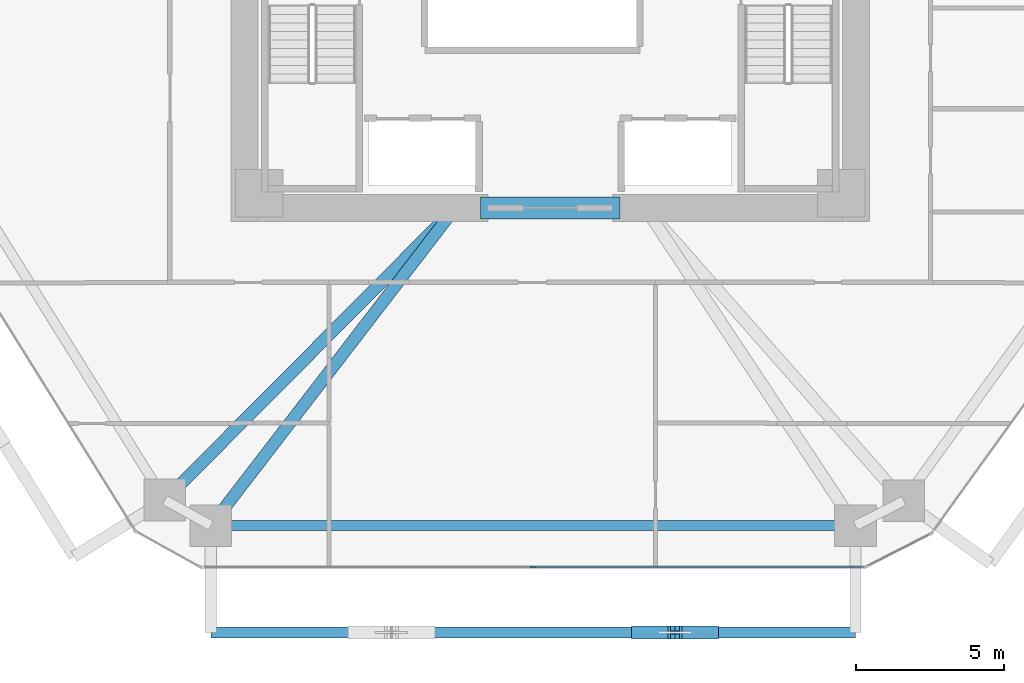
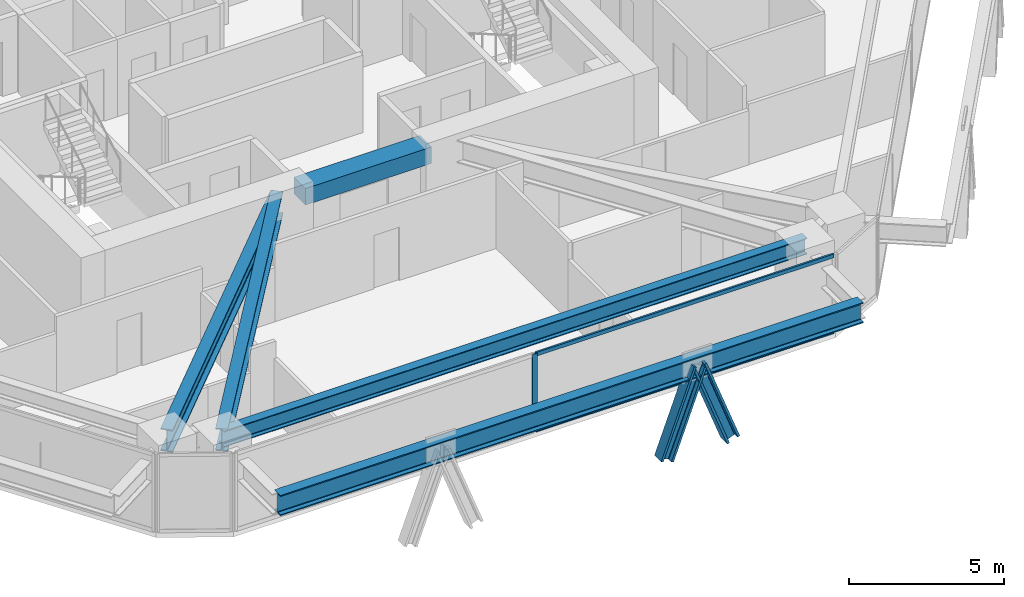
# One storey, part 3 of 17: 5 beams, 5 members, 1 element without a shape of its own.
"""IFC4 building model written with IfcOpenShell, lengths in metres."""

import ifcopenshell
import ifcopenshell.guid

model = None  # the IFC model being written
_history = None  # IfcOwnerHistory: only IFC2X3 demands one
_inside = {}  # id of a spatial element -> (the spatial element, [elements in it])
_under = {}  # id of a project, library or spatial element -> (it, [spatial elements below it])
_declared = {}  # id of a project -> (the project, [libraries it declares])
_typed = {}  # id of a type object -> (the type object, [elements of that type])
_made_of = {}  # id of a material, layer set ... -> (it, [elements and type objects made of it])


def new_model(schema):
    """Start an empty IFC model of exactly this schema.

    Asked for "IFC4X3", IfcOpenShell would pick the latest addendum, in which some entities
    have other attributes; the version numbers below select the first issue.
    IFC2X3 requires an IfcOwnerHistory on every rooted entity: one is made here for all.
    """
    global model, _history
    if schema == "IFC4X3":
        model = ifcopenshell.file(schema_version=(4, 3, 0, 0))
    else:
        model = ifcopenshell.file(schema=schema)
    _inside.clear()
    _under.clear()
    _declared.clear()
    _typed.clear()
    _made_of.clear()
    _history = None
    if model.schema == "IFC2X3":
        org = make("IfcOrganization", Name="unknown")
        user = make(
            "IfcPersonAndOrganization",
            ThePerson=make("IfcPerson", FamilyName="unknown"),
            TheOrganization=org,
        )
        app = make(
            "IfcApplication",
            ApplicationDeveloper=org,
            Version="unknown",
            ApplicationFullName="unknown",
            ApplicationIdentifier="unknown",
        )
        _history = make(
            "IfcOwnerHistory",
            OwningUser=user,
            OwningApplication=app,
            ChangeAction="ADDED",
            CreationDate=0,
        )
    return model


def make(cls, **values):
    """One entity of the class cls with the attributes given. An attribute that is None is left unset."""
    return model.create_entity(
        cls, **{name: value for name, value in values.items() if value is not None}
    )


def rooted(cls, **values):
    """An entity with a GlobalId (a new one), such as an element, a storey or a relation."""
    return make(cls, GlobalId=ifcopenshell.guid.new(), OwnerHistory=_history, **values)


def si_unit(unit_type, name, prefix=None):
    """IfcSIUnit, for example si_unit("LENGTHUNIT", "METRE", prefix="MILLI")."""
    return make("IfcSIUnit", UnitType=unit_type, Prefix=prefix, Name=name)


def assignment(units):
    """IfcUnitAssignment: the units of a project."""
    return None if units is None else make("IfcUnitAssignment", Units=units)


def point(xyz):
    """IfcCartesianPoint."""
    return None if xyz is None else make("IfcCartesianPoint", Coordinates=xyz)


def direction(xyz):
    """IfcDirection."""
    return None if xyz is None else make("IfcDirection", DirectionRatios=xyz)


def frame(location, z_axis=None, x_axis=None):
    """IfcAxis2Placement3D, a coordinate frame: its origin and axes. An axis left out is left unset."""
    return make(
        "IfcAxis2Placement3D",
        Location=point(location),
        Axis=direction(z_axis),
        RefDirection=direction(x_axis),
    )


def frame_2d(location, x_axis=None):
    """IfcAxis2Placement2D, a coordinate frame in the plane: its origin and x axis."""
    return make(
        "IfcAxis2Placement2D", Location=point(location), RefDirection=direction(x_axis)
    )


def origin():
    """The frame at (0, 0, 0) with its axes left unset."""
    return frame((0.0, 0.0, 0.0))


def origin_2d():
    """The frame at (0, 0) in the plane with its x axis left unset."""
    return frame_2d((0.0, 0.0))


def place(relative_to, where):
    """IfcLocalPlacement: puts the frame where relative to a parent placement (None: the world)."""
    return make(
        "IfcLocalPlacement", PlacementRelTo=relative_to, RelativePlacement=where
    )


def context(
    kind, dimensions, precision=None, world=None, true_north=None, identifier=None
):
    """IfcGeometricRepresentationContext, for example the 3D "Model" context."""
    return make(
        "IfcGeometricRepresentationContext",
        ContextIdentifier=identifier,
        ContextType=kind,
        CoordinateSpaceDimension=dimensions,
        Precision=precision,
        WorldCoordinateSystem=world,
        TrueNorth=true_north,
    )


def subcontext(parent, identifier, kind, view, scale=None):
    """IfcGeometricRepresentationSubContext, for example "Body" below "Model"."""
    return make(
        "IfcGeometricRepresentationSubContext",
        ContextIdentifier=identifier,
        ContextType=kind,
        ParentContext=parent,
        TargetScale=scale,
        TargetView=view,
    )


def project(units=None, contexts=None):
    """IfcProject with its units and contexts."""
    return rooted(
        "IfcProject",
        Name="project",
        RepresentationContexts=contexts,
        UnitsInContext=assignment(units),
    )


def spatial(cls, under=None, at=None, **own):
    """A site, building, storey or space (cls), placed at a placement, below another one or the project."""
    s = rooted(cls, ObjectPlacement=at, **own)
    if under is not None:
        _under.setdefault(under.id(), (under, []))[1].append(s)
    return s


def profile(cls, at=None, kind="AREA", **sizes):
    """A parametric profile (cls). Its sizes go by their IFC names, for example OverallWidth=200.0."""
    return make(cls, ProfileType=kind, Position=at, **sizes)


def rectangle(**sizes):
    """IfcRectangleProfileDef."""
    return profile("IfcRectangleProfileDef", **sizes)


def i_section(**sizes):
    """IfcIShapeProfileDef."""
    return profile("IfcIShapeProfileDef", **sizes)


def extrude(swept, where, along, depth):
    """IfcExtrudedAreaSolid: the profile swept, set in the frame where, extruded along a direction by depth."""
    return make(
        "IfcExtrudedAreaSolid",
        SweptArea=swept,
        Position=where,
        ExtrudedDirection=direction(along),
        Depth=depth,
    )


def shape(context_of_items, identifier, shape_type, items):
    """IfcShapeRepresentation: the items that make up one representation, for example the "Body"."""
    return make(
        "IfcShapeRepresentation",
        ContextOfItems=context_of_items,
        RepresentationIdentifier=identifier,
        RepresentationType=shape_type,
        Items=items,
    )


def source(mapping_origin, context_of_items, identifier, shape_type, items):
    """IfcRepresentationMap: a shape defined once, which mapped items show again and again."""
    return make(
        "IfcRepresentationMap",
        MappingOrigin=mapping_origin,
        MappedRepresentation=shape(context_of_items, identifier, shape_type, items),
    )


def transform(
    local_origin,
    x_axis=None,
    y_axis=None,
    z_axis=None,
    scale=None,
    scale2=None,
    scale3=None,
    uniform=True,
):
    """IfcCartesianTransformationOperator3D, or its non-uniform kind. x_axis, y_axis, z_axis: its Axis1, 2, 3."""
    if uniform:
        return make(
            "IfcCartesianTransformationOperator3D",
            Axis1=direction(x_axis),
            Axis2=direction(y_axis),
            LocalOrigin=point(local_origin),
            Scale=scale,
            Axis3=direction(z_axis),
        )
    return make(
        "IfcCartesianTransformationOperator3DnonUniform",
        Axis1=direction(x_axis),
        Axis2=direction(y_axis),
        LocalOrigin=point(local_origin),
        Scale=scale,
        Axis3=direction(z_axis),
        Scale2=scale2,
        Scale3=scale3,
    )


def mapped(mapping_source, mapping_target):
    """IfcMappedItem: shows the shape of a source again, moved by a transform."""
    return make(
        "IfcMappedItem", MappingSource=mapping_source, MappingTarget=mapping_target
    )


def material(Name=None, Category=None):
    """IfcMaterial."""
    return make("IfcMaterial", Name=Name, Category=Category)


def layer(
    of_material, thickness, ventilated=None, Name=None, Category=None, Priority=None
):
    """IfcMaterialLayer: one layer of a wall or slab, of a material (None: an air gap)."""
    return make(
        "IfcMaterialLayer",
        Material=of_material,
        LayerThickness=thickness,
        IsVentilated=ventilated,
        Name=Name,
        Category=Category,
        Priority=Priority,
    )


def layer_set(layers, Name=None):
    """IfcMaterialLayerSet."""
    return make("IfcMaterialLayerSet", MaterialLayers=layers, LayerSetName=Name)


def material_profile(
    of_material, cross_section, Name=None, Category=None, Priority=None
):
    """IfcMaterialProfile: a cross section and its material."""
    return make(
        "IfcMaterialProfile",
        Name=Name,
        Material=of_material,
        Profile=cross_section,
        Priority=Priority,
        Category=Category,
    )


def profile_set(profiles, Name=None, composite=None):
    """IfcMaterialProfileSet."""
    return make(
        "IfcMaterialProfileSet",
        Name=Name,
        MaterialProfiles=profiles,
        CompositeProfile=composite,
    )


def made_of(thing, what):
    """Note that an element or type object is made of a material, layer set ...; save() writes the relation."""
    if what is not None:
        _made_of.setdefault(what.id(), (what, []))[1].append(thing)
    return thing


def type_object(cls, material=None, **own):
    """A type object (cls), such as IfcWallType, which elements share."""
    return made_of(rooted(cls, **own), material)


def type_shapes(of_type, sources):
    """Give a type object the sources (RepresentationMaps) that its elements show as mapped items."""
    of_type.RepresentationMaps = sources


def element(
    cls,
    number,
    at=None,
    inside=None,
    cuts=None,
    type_object=None,
    material=None,
    context=None,
    identifier="Body",
    shape_type=None,
    held_by="IfcProductDefinitionShape",
    body=None,
    shapes=None,
    **own,
):
    """One element of the class cls, such as IfcWall. Its Tag is "e" and its number.

    at: its placement. inside: the storey or other place that contains it. cuts: it is an
    opening in that element (IfcRelVoidsElement). A single representation is given by context,
    identifier, shape_type and body (its items); several are given by shapes. held_by: the class
    of the entity that holds the representations. save() writes the other relations.
    """
    e = rooted(cls, Tag="e%d" % number, ObjectPlacement=at, **own)
    if body is not None:
        shapes = [shape(context, identifier, shape_type, body)]
    if shapes is not None:
        e.Representation = make(held_by, Representations=shapes)
    if inside is not None:
        _inside.setdefault(inside.id(), (inside, []))[1].append(e)
    if cuts is not None:
        rooted(
            "IfcRelVoidsElement", RelatingBuildingElement=cuts, RelatedOpeningElement=e
        )
    if type_object is not None:
        _typed.setdefault(type_object.id(), (type_object, []))[1].append(e)
    return made_of(e, material)


def aggregate(whole, parts):
    """IfcRelAggregates: a whole, such as a stair, and the parts it consists of."""
    return rooted("IfcRelAggregates", RelatingObject=whole, RelatedObjects=parts)


def save(model, path):
    """Write the relations noted so far, then the file.

    IfcRelAggregates (storeys below a building ...), IfcRelContainedInSpatialStructure (elements
    in a storey), IfcRelDefinesByType, IfcRelAssociatesMaterial and IfcRelDeclares: one each for
    every whole, place, type object, material and project.
    """
    for whole, parts in _under.values():
        aggregate(whole, parts)
    for where, things in _inside.values():
        rooted(
            "IfcRelContainedInSpatialStructure",
            RelatedElements=things,
            RelatingStructure=where,
        )
    for kind, things in _typed.values():
        rooted("IfcRelDefinesByType", RelatedObjects=things, RelatingType=kind)
    for what, things in _made_of.values():
        rooted("IfcRelAssociatesMaterial", RelatedObjects=things, RelatingMaterial=what)
    for by, libraries in _declared.values():
        rooted("IfcRelDeclares", RelatingContext=by, RelatedDefinitions=libraries)
    model.write(path)


model = new_model("IFC4")

# Units and contexts
model_context = context("Model", 3, precision=1e-05, world=origin(), true_north=direction((0.0, 1.0)))
body_context = subcontext(model_context, "Body", "Model", "MODEL_VIEW")
ifc_project = project(units=[si_unit("LENGTHUNIT", "METRE"), si_unit("AREAUNIT", "SQUARE_METRE"), si_unit("VOLUMEUNIT", "CUBIC_METRE"), si_unit("PLANEANGLEUNIT", "RADIAN"), si_unit("MASSUNIT", "GRAM", prefix="KILO")], contexts=[model_context])

# Site, building, storey
site_placement = place(None, origin())
site = spatial("IfcSite", under=ifc_project, at=site_placement, CompositionType="ELEMENT")
building_placement = place(site_placement, origin())
building = spatial("IfcBuilding", under=site, at=building_placement, Name="Durnholm Broadcast Tower", CompositionType="ELEMENT")
storey_placement = place(building_placement, frame((0.0, 0.0, 52.199951171875)))
storey = spatial("IfcBuildingStorey", under=building, at=storey_placement, Name="L12", CompositionType="ELEMENT", Elevation=52.199951171875)

# Beams
ifc_material_1 = material(Name="Concrete C70/85", Category="concrete")
ifc_material_profile_1 = material_profile(ifc_material_1, rectangle(XDim=0.75, YDim=0.64990234375, at=origin_2d()), Name="RC750X650")
ifc_profile_set_1 = profile_set([ifc_material_profile_1], Name="Concrete C70/85")
beam_type_1 = type_object("IfcBeamType", Name="BM-CB-RC650", PredefinedType="LINTEL", material=ifc_profile_set_1)
shared_shape_1 = source(origin(), body_context, "Body", "SweptSolid", [
    extrude(rectangle(XDim=0.75, YDim=0.64990234375, at=origin_2d()), origin(), (0.0, 0.0, 1.0), 4.7001953125),
])
type_shapes(beam_type_1, [shared_shape_1])
beam_1_placement = place(storey_placement, frame((-2.35009765625, -8.300048828125, 2.72998046875), z_axis=(1.0, 0.0, 0.0), x_axis=(0.0, 1.0, 0.0)))
element("IfcBeam", 1, at=beam_1_placement, inside=storey, type_object=beam_type_1, Name="L12 south core coupling lintel beam CB-S", PredefinedType="LINTEL", context=body_context, shape_type="MappedRepresentation", body=[
    mapped(shared_shape_1, transform((0.0, 0.0, 0.0), x_axis=(1.0, 0.0, 0.0), y_axis=(0.0, 1.0, 0.0), z_axis=(0.0, 0.0, 1.0), scale=1.0)),
])
ifc_material_2 = material(Name="Steel ASTM A992 Grade 50", Category="steel")
ifc_material_profile_2 = material_profile(ifc_material_2, i_section(OverallWidth=0.3291015625, OverallDepth=0.635009765625, WebThickness=0.017822265625, FlangeThickness=0.031005859375, FilletRadius=0.02783203125, at=origin_2d()), Name="W24X162")
ifc_profile_set_2 = profile_set([ifc_material_profile_2], Name="Steel ASTM A992 Grade 50")
beam_type_2 = type_object("IfcBeamType", Name="STL-SP-W24X162", PredefinedType="SPANDREL", material=ifc_profile_set_2)
shared_shape_2 = source(origin(), body_context, "Body", "SweptSolid", [
    extrude(i_section(OverallWidth=0.3291015625, OverallDepth=0.635009765625, WebThickness=0.017822265625, FlangeThickness=0.031005859375, FilletRadius=0.02783203125, at=origin_2d()), origin(), (0.0, 0.0, 1.0), 21.7138671875),
])
type_shapes(beam_type_2, [shared_shape_2])
beam_2_placement = place(storey_placement, frame((10.28271484375, -19.0, 2.7275390625), z_axis=(-1.0, 0.0, 0.0), x_axis=(0.0, -1.0, 0.0)))
element("IfcBeam", 2, at=beam_2_placement, inside=storey, type_object=beam_type_2, Name="L12 perimeter spandrel girder 11", PredefinedType="SPANDREL", context=body_context, shape_type="MappedRepresentation", body=[
    mapped(shared_shape_2, transform((0.0, 0.0, 0.0), x_axis=(1.0, 0.0, 0.0), y_axis=(0.0, 1.0, 0.0), z_axis=(0.0, 0.0, 1.0), scale=1.0)),
])
ifc_material_profile_3 = material_profile(ifc_material_2, i_section(OverallWidth=0.404052734375, OverallDepth=0.885009765625, WebThickness=0.0244140625, FlangeThickness=0.0439453125, FilletRadius=0.03564453125, at=origin_2d()), Name="W33X291")
ifc_profile_set_3 = profile_set([ifc_material_profile_3], Name="Steel ASTM A992 Grade 50")
beam_type_3 = type_object("IfcBeamType", Name="STL-GR-W33X291", PredefinedType="USERDEFINED", material=ifc_profile_set_3)
shared_shape_3 = source(origin(), body_context, "Body", "SweptSolid", [
    extrude(i_section(OverallWidth=0.404052734375, OverallDepth=0.885009765625, WebThickness=0.0244140625, FlangeThickness=0.0439453125, FilletRadius=0.03564453125, at=origin_2d()), origin(), (0.0, 0.0, 1.0), 13.874267578125),
])
beam_3_placement = place(storey_placement, frame((-3.199951171875, -8.300048828125, 2.6025390625), z_axis=(-0.705097917174, -0.709109954237, 0.0), x_axis=(0.709109954237, -0.705097917174, 0.0)))
element("IfcBeam", 3, at=beam_3_placement, inside=storey, type_object=beam_type_3, Name="L12 radial primary floor girder 01", ObjectType="GIRDER", PredefinedType="USERDEFINED", context=body_context, shape_type="MappedRepresentation", body=[
    mapped(shared_shape_3, transform((0.0, 0.0, 0.0), x_axis=(1.0, 0.0, 0.0), y_axis=(0.0, 1.0, 0.0), z_axis=(0.0, 0.0, 1.0), scale=1.0)),
])
shared_shape_4 = source(origin(), body_context, "Body", "SweptSolid", [
    extrude(i_section(OverallWidth=0.404052734375, OverallDepth=0.885009765625, WebThickness=0.0244140625, FlangeThickness=0.0439453125, FilletRadius=0.03564453125, at=origin_2d()), origin(), (0.0, 0.0, 1.0), 13.499755859375),
])
type_shapes(beam_type_3, [shared_shape_3, shared_shape_4])
beam_4_placement = place(storey_placement, frame((-3.199951171875, -8.300048828125, 2.6025390625), z_axis=(-0.609732610412, -0.79260718127, 0.0), x_axis=(0.79260718127, -0.609732610412, 0.0)))
element("IfcBeam", 4, at=beam_4_placement, inside=storey, type_object=beam_type_3, Name="L12 radial primary floor girder 12", ObjectType="GIRDER", PredefinedType="USERDEFINED", context=body_context, shape_type="MappedRepresentation", body=[
    mapped(shared_shape_4, transform((0.0, 0.0, 0.0), x_axis=(1.0, 0.0, 0.0), y_axis=(0.0, 1.0, 0.0), z_axis=(0.0, 0.0, 1.0), scale=1.0)),
])
ifc_material_profile_4 = material_profile(ifc_material_2, i_section(OverallWidth=0.385009765625, OverallDepth=0.802978515625, WebThickness=0.023681640625, FlangeThickness=0.0419921875, FilletRadius=0.032958984375, at=origin_2d()), Name="W30X261")
ifc_profile_set_4 = profile_set([ifc_material_profile_4], Name="Steel ASTM A992 Grade 50")
beam_type_4 = type_object("IfcBeamType", Name="BM-EXO-TIE", PredefinedType="USERDEFINED", material=ifc_profile_set_4)
shared_shape_5 = source(origin(), body_context, "Body", "SweptSolid", [
    extrude(i_section(OverallWidth=0.385009765625, OverallDepth=0.802978515625, WebThickness=0.023681640625, FlangeThickness=0.0419921875, FilletRadius=0.032958984375, at=origin_2d()), origin(), (0.0, 0.0, 1.0), 21.7138671875),
])
type_shapes(beam_type_4, [shared_shape_5])
beam_5_placement = place(storey_placement, frame((-11.43115234375, -22.60009765625, 2.30859375), z_axis=(1.0, 0.0, 0.0), x_axis=(0.0, 1.0, 0.0)))
element("IfcBeam", 5, at=beam_5_placement, inside=storey, type_object=beam_type_4, Name="L12 exoskeleton collector spandrel F1", PredefinedType="SPANDREL", context=body_context, shape_type="MappedRepresentation", body=[
    mapped(shared_shape_5, transform((0.0, 0.0, 0.0), x_axis=(1.0, 0.0, 0.0), y_axis=(0.0, 1.0, 0.0), z_axis=(0.0, 0.0, 1.0), scale=1.0)),
])

# Members
ifc_material_3 = material(Name="Steel ASTM A913 Grade 65", Category="steel")
ifc_material_profile_5 = material_profile(ifc_material_3, i_section(OverallWidth=0.43212890625, OverallDepth=0.497802734375, WebThickness=0.0556640625, FlangeThickness=0.0888671875, FilletRadius=0.030517578125, at=origin_2d()), Name="W14X500")
ifc_profile_set_5 = profile_set([ifc_material_profile_5], Name="Steel ASTM A913 Grade 65")
member_type_1 = type_object("IfcMemberType", Name="STL-DG-W14X500", PredefinedType="BRACE", material=ifc_profile_set_5)
shared_shape_6 = source(origin(), body_context, "Body", "SweptSolid", [
    extrude(i_section(OverallWidth=0.43212890625, OverallDepth=0.497802734375, WebThickness=0.0556640625, FlangeThickness=0.0888671875, FilletRadius=0.030517578125, at=origin_2d()), origin(), (0.0, 0.0, 1.0), 3.523193359375),
])
type_shapes(member_type_1, [shared_shape_6])
for number, where, z_axis, x_axis, name in (
    (6, (2.968994140625, -22.60009765625, -0.991455078125), (0.350219588454, 0.0, 0.936667625075), (0.0, 1.0, 0.0), "L12 stand-off diagrid brace F1.D2.1"),
    (7, (5.436767578125, -22.60009765625, -0.991455078125), (-0.350219588454, 0.0, 0.936667625075), (0.0, -1.0, 0.0), "L12 stand-off diagrid brace F1.D2.2"),
):
    element("IfcMember", number, at=place(storey_placement, frame(where, z_axis=z_axis, x_axis=x_axis)), inside=storey, type_object=member_type_1, Name=name, PredefinedType="BRACE", context=body_context, shape_type="MappedRepresentation", body=[
        mapped(shared_shape_6, transform((0.0, 0.0, 0.0), x_axis=(1.0, 0.0, 0.0), y_axis=(0.0, 1.0, 0.0), z_axis=(0.0, 0.0, 1.0), scale=1.0)),
    ])

# Curtain wall, members
ifc_material_4 = material(Name="Aluminium and Solar Control IGU", Category="aluminium")
ifc_layer = layer(ifc_material_4, 0.18994140625)
ifc_layer_set = layer_set([ifc_layer], Name="Aluminium and Solar Control IGU")
curtain_wall_type = type_object("IfcCurtainWallType", Name="CW-SYS-3", PredefinedType="NOTDEFINED", material=ifc_layer_set)
curtain_wall_placement = place(storey_placement, origin())
curtain_wall = element("IfcCurtainWall", 8, at=curtain_wall_placement, inside=storey, type_object=curtain_wall_type, Name="L12 curtain wall CW-Z12-VIS CW-L12-F10", PredefinedType="NOTDEFINED")
ifc_material_5 = material(Name="Aluminium 6063-T6", Category="aluminium")
ifc_material_profile_6 = material_profile(ifc_material_5, rectangle(XDim=0.070068359375, YDim=0.18994140625, at=origin_2d()), Name="CWM70X190")
ifc_profile_set_6 = profile_set([ifc_material_profile_6], Name="Aluminium 6063-T6")
member_type_2 = type_object("IfcMemberType", Name="CW-SYS-3-MUL", PredefinedType="MULLION", material=ifc_profile_set_6)
shared_shape_7 = source(origin(), body_context, "Body", "SweptSolid", [
    extrude(rectangle(XDim=0.070068359375, YDim=0.18994140625, at=origin_2d()), origin(), (0.0, 0.0, 1.0), 3.06005859375),
])
type_shapes(member_type_2, [shared_shape_7])
member_1_placement = place(storey_placement, frame((-0.5869140625, -20.39990234375, 0.0), z_axis=(0.0, 0.0, 1.0), x_axis=(0.0, -1.0, 0.0)))
member_1 = element("IfcMember", 9, at=member_1_placement, type_object=member_type_2, Name="CW-Z12-VIS mullion 2", PredefinedType="MULLION", context=body_context, shape_type="MappedRepresentation", body=[
    mapped(shared_shape_7, transform((0.0, 0.0, 0.0), x_axis=(1.0, 0.0, 0.0), y_axis=(0.0, 1.0, 0.0), z_axis=(0.0, 0.0, 1.0), scale=1.0)),
])
ifc_material_profile_7 = material_profile(ifc_material_5, rectangle(XDim=0.070068359375, YDim=0.14990234375, at=origin_2d()), Name="CWT70X150")
ifc_profile_set_7 = profile_set([ifc_material_profile_7], Name="Aluminium 6063-T6")
member_type_3 = type_object("IfcMemberType", Name="CW-SYS-3-TRN", PredefinedType="USERDEFINED", material=ifc_profile_set_7)
shared_shape_8 = source(origin(), body_context, "Body", "SweptSolid", [
    extrude(rectangle(XDim=0.070068359375, YDim=0.14990234375, at=origin_2d()), origin(), (0.0, 0.0, 1.0), 11.10205078125),
])
type_shapes(member_type_3, [shared_shape_8])
member_2_placement = place(storey_placement, frame((10.55029296875, -20.39990234375, 0.03515625), z_axis=(-1.0, 0.0, 0.0), x_axis=(0.0, -1.0, 0.0)))
member_2 = element("IfcMember", 10, at=member_2_placement, type_object=member_type_3, Name="CW-Z12-VIS transom 1.1", ObjectType="TRANSOM", PredefinedType="USERDEFINED", context=body_context, shape_type="MappedRepresentation", body=[
    mapped(shared_shape_8, transform((0.0, 0.0, 0.0), x_axis=(1.0, 0.0, 0.0), y_axis=(0.0, 1.0, 0.0), z_axis=(0.0, 0.0, 1.0), scale=1.0)),
])
member_3_placement = place(storey_placement, frame((10.55029296875, -20.39990234375, 3.025146484375), z_axis=(-1.0, 0.0, 0.0), x_axis=(0.0, -1.0, 0.0)))
member_3 = element("IfcMember", 11, at=member_3_placement, type_object=member_type_3, Name="CW-Z12-VIS transom 1.2", ObjectType="TRANSOM", PredefinedType="USERDEFINED", context=body_context, shape_type="MappedRepresentation", body=[
    mapped(shared_shape_8, transform((0.0, 0.0, 0.0), x_axis=(1.0, 0.0, 0.0), y_axis=(0.0, 1.0, 0.0), z_axis=(0.0, 0.0, 1.0), scale=1.0)),
])
aggregate(curtain_wall, [member_1, member_2, member_3])

save(model, "model.ifc")
